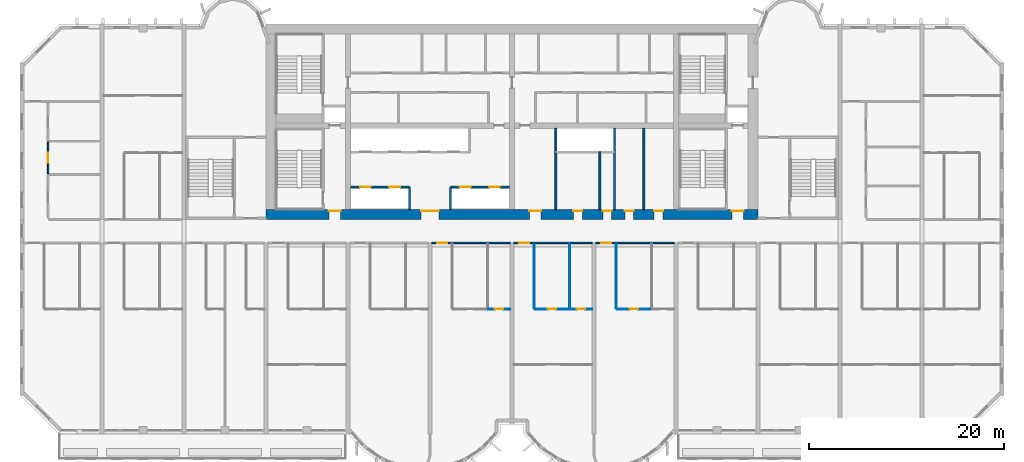
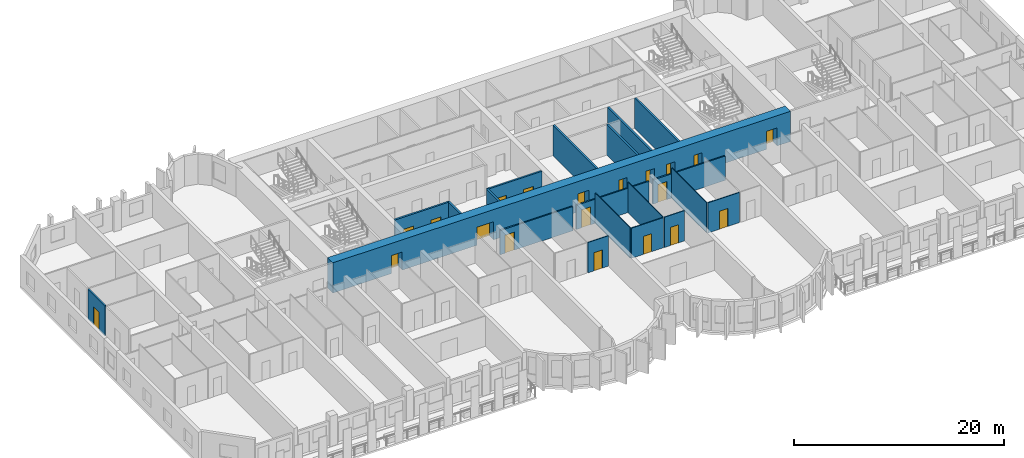
# One storey, part 5 of 15: 20 doors, 20 walls, 20 openings.
"""IFC4 building model written with IfcOpenShell, lengths in metres."""

from ifc_helpers import new_model, si_unit, direction, frame, frame_2d, origin, place, context, subcontext, project, spatial, rectangle, extrude, source, transform, mapped, material, layer, layer_set, type_object, element, fill, save


model = new_model("IFC4")

# Units and contexts
model_context = context("Model", 3, precision=1e-05, world=origin(), true_north=direction((0.0, 1.0)))
body_context = subcontext(model_context, "Body", "Model", "MODEL_VIEW")
ifc_project = project(units=[si_unit("LENGTHUNIT", "METRE"), si_unit("AREAUNIT", "SQUARE_METRE"), si_unit("VOLUMEUNIT", "CUBIC_METRE"), si_unit("PLANEANGLEUNIT", "RADIAN"), si_unit("MASSUNIT", "GRAM", prefix="KILO")], contexts=[model_context])

# Site, building, storey
site_placement = place(None, origin())
site = spatial("IfcSite", under=ifc_project, at=site_placement, CompositionType="ELEMENT")
building_placement = place(site_placement, origin())
building = spatial("IfcBuilding", under=site, at=building_placement, Name="Vanashikhar Sky Hotel", CompositionType="ELEMENT")
storey_placement = place(building_placement, frame((0.0, 0.0, 65.800048828125)))
storey = spatial("IfcBuildingStorey", under=building, at=storey_placement, Name="L15", CompositionType="ELEMENT", Elevation=65.800048828125)

# Wall, openings, doors
ifc_material_1 = material(Name="Concrete M80", Category="concrete")
ifc_layer_1 = layer(ifc_material_1, 1.0)
ifc_layer_set_1 = layer_set([ifc_layer_1], Name="RC core shell wall 1000 Concrete M80")
wall_type_1 = type_object("IfcWallType", Name="RC core shell wall 1000 Concrete M80", PredefinedType="SHEAR", material=ifc_layer_set_1)
shared_shape_1 = source(origin(), body_context, "Body", "SweptSolid", [
    extrude(rectangle(XDim=50.400146484375, YDim=1.0, at=frame_2d((25.2001953125, 0.0))), origin(), (0.0, 0.0, 1.0), 3.52001953125),
])
wall_1_placement = place(storey_placement, frame((25.199951171875, 22.5, 0.0), z_axis=(0.0, 0.0, 1.0), x_axis=(1.0, 0.0, 0.0)))
wall_1 = element("IfcWall", 1, at=wall_1_placement, inside=storey, type_object=wall_type_1, Name="KW-L15-KS", PredefinedType="SHEAR", context=body_context, shape_type="MappedRepresentation", body=[
    mapped(shared_shape_1, transform((0.0, 0.0, 0.0), scale=1.0)),
])
shared_shape_2 = source(origin(), body_context, "Body", "SweptSolid", [
    extrude(rectangle(XDim=1.800048828125, YDim=2.10009765625, at=frame_2d((0.89990234375, 1.050048828125))), frame((0.0, 0.510009765625, 0.0), z_axis=(0.0, -1.0, 0.0), x_axis=(1.0, 0.0, 0.0)), (0.0, 0.0, 1.0), 1.02001953125),
])
opening_1_placement = place(wall_1_placement, frame((15.89990234375, 0.0, 0.0)))
opening_1 = element("IfcOpeningElement", 2, at=opening_1_placement, cuts=wall_1, Name="Opening DC-3-A", PredefinedType="OPENING", context=body_context, shape_type="MappedRepresentation", body=[
    mapped(shared_shape_2, transform((0.0, 0.0, 0.0), scale=1.0)),
])
shared_shape_3 = source(origin(), body_context, "Body", "SweptSolid", [
    extrude(rectangle(XDim=1.199951171875, YDim=2.10009765625, at=frame_2d((0.60009765625, 1.050048828125))), frame((0.0, 0.510009765625, 0.0), z_axis=(0.0, -1.0, 0.0), x_axis=(1.0, 0.0, 0.0)), (0.0, 0.0, 1.0), 1.02001953125),
])
opening_2_placement = place(wall_1_placement, frame((26.987060546875, 0.0, 0.0)))
opening_2 = element("IfcOpeningElement", 3, at=opening_2_placement, cuts=wall_1, Name="Opening DC-4-B", PredefinedType="OPENING", context=body_context, shape_type="MappedRepresentation", body=[
    mapped(shared_shape_3, transform((0.0, 0.0, 0.0), scale=1.0)),
])
shared_shape_4 = source(origin(), body_context, "Body", "SweptSolid", [
    extrude(rectangle(XDim=0.89990234375, YDim=2.10009765625, at=frame_2d((0.449951171875, 1.050048828125))), frame((0.0, 0.510009765625, 0.0), z_axis=(0.0, -1.0, 0.0), x_axis=(1.0, 0.0, 0.0)), (0.0, 0.0, 1.0), 1.02001953125),
])
opening_3_placement = place(wall_1_placement, frame((34.5, 0.0, 0.0)))
opening_3 = element("IfcOpeningElement", 4, at=opening_3_placement, cuts=wall_1, Name="Opening DC-4-A", PredefinedType="OPENING", context=body_context, shape_type="MappedRepresentation", body=[
    mapped(shared_shape_4, transform((0.0, 0.0, 0.0), scale=1.0)),
])
opening_4_placement = place(wall_1_placement, frame((31.5, 0.0, 0.0)))
opening_4 = element("IfcOpeningElement", 5, at=opening_4_placement, cuts=wall_1, Name="Opening DC-4-A", PredefinedType="OPENING", context=body_context, shape_type="MappedRepresentation", body=[
    mapped(shared_shape_4, transform((0.0, 0.0, 0.0), scale=1.0)),
])
opening_5_placement = place(wall_1_placement, frame((39.76904296875, 0.0, 0.0)))
opening_5 = element("IfcOpeningElement", 6, at=opening_5_placement, cuts=wall_1, Name="Opening DC-4-A", PredefinedType="OPENING", context=body_context, shape_type="MappedRepresentation", body=[
    mapped(shared_shape_4, transform((0.0, 0.0, 0.0), scale=1.0)),
])
opening_6_placement = place(wall_1_placement, frame((36.756103515625, 0.0, 0.0)))
opening_6 = element("IfcOpeningElement", 7, at=opening_6_placement, cuts=wall_1, Name="Opening DC-4-A", PredefinedType="OPENING", context=body_context, shape_type="MappedRepresentation", body=[
    mapped(shared_shape_4, transform((0.0, 0.0, 0.0), scale=1.0)),
])
opening_7_placement = place(wall_1_placement, frame((6.43798828125, 0.0, 0.0)))
opening_7 = element("IfcOpeningElement", 8, at=opening_7_placement, cuts=wall_1, Name="Opening DC-2", PredefinedType="OPENING", context=body_context, shape_type="MappedRepresentation", body=[
    mapped(shared_shape_3, transform((0.0, 0.0, 0.0), scale=1.0)),
])
opening_8_placement = place(wall_1_placement, frame((47.72509765625, 0.0, 0.0)))
opening_8 = element("IfcOpeningElement", 9, at=opening_8_placement, cuts=wall_1, Name="Opening DC-2", PredefinedType="OPENING", context=body_context, shape_type="MappedRepresentation", body=[
    mapped(shared_shape_3, transform((0.0, 0.0, 0.0), scale=1.0)),
])
ifc_material_2 = material(Name="Glass", Category="glass")
door_type_1 = type_object("IfcDoorType", Name="Lift lobby entrance door 1800 FD30S", OperationType="NOTDEFINED", PredefinedType="DOOR", material=ifc_material_2)
shared_shape_5 = source(origin(), body_context, "Body", "SweptSolid", [
    extrude(rectangle(XDim=1.800048828125, YDim=2.10009765625, at=frame_2d((0.89990234375, 1.050048828125))), frame((0.0, 0.375, 0.0), z_axis=(0.0, -1.0, 0.0), x_axis=(1.0, 0.0, 0.0)), (0.0, 0.0, 1.0), 0.050048828125),
])
door_1_placement = place(opening_1_placement, origin())
door_1 = element("IfcDoor", 10, at=door_1_placement, inside=storey, type_object=door_type_1, Name="Lift lobby entrance door 1800 FD30S", OperationType="DOUBLE_DOOR_SINGLE_SWING", OverallHeight=2.10009765625, OverallWidth=1.800048828125, PredefinedType="DOOR", context=body_context, shape_type="MappedRepresentation", body=[
    mapped(shared_shape_5, transform((0.0, 0.0, 0.0), scale=1.0)),
])
fill(opening_1, door_1)
ifc_material_3 = material(Name="Steel", Category="steel")
door_type_2 = type_object("IfcDoorType", Name="Service door 1200 FD60", OperationType="NOTDEFINED", PredefinedType="DOOR", material=ifc_material_3)
shared_shape_6 = source(origin(), body_context, "Body", "SweptSolid", [
    extrude(rectangle(XDim=1.199951171875, YDim=2.10009765625, at=frame_2d((0.60009765625, 1.050048828125))), frame((0.0, 0.375, 0.0), z_axis=(0.0, -1.0, 0.0), x_axis=(1.0, 0.0, 0.0)), (0.0, 0.0, 1.0), 0.050048828125),
])
door_2_placement = place(opening_2_placement, origin())
door_2 = element("IfcDoor", 11, at=door_2_placement, inside=storey, type_object=door_type_2, Name="Service door 1200 FD60", OperationType="SINGLE_SWING_LEFT", OverallHeight=2.10009765625, OverallWidth=1.199951171875, PredefinedType="DOOR", context=body_context, shape_type="MappedRepresentation", body=[
    mapped(shared_shape_6, transform((0.0, 0.0, 0.0), scale=1.0)),
])
fill(opening_2, door_2)
door_type_3 = type_object("IfcDoorType", Name="Firefighting lobby door 1200 FD120", OperationType="NOTDEFINED", PredefinedType="DOOR", material=ifc_material_3)
door_3_placement = place(opening_7_placement, origin())
door_3 = element("IfcDoor", 12, at=door_3_placement, inside=storey, type_object=door_type_3, Name="Firefighting lobby door 1200 FD120", OperationType="SINGLE_SWING_LEFT", OverallHeight=2.10009765625, OverallWidth=1.199951171875, PredefinedType="DOOR", context=body_context, shape_type="MappedRepresentation", body=[
    mapped(shared_shape_6, transform((0.0, 0.0, 0.0), scale=1.0)),
])
fill(opening_7, door_3)
door_4_placement = place(opening_8_placement, origin())
door_4 = element("IfcDoor", 13, at=door_4_placement, inside=storey, type_object=door_type_3, Name="Firefighting lobby door 1200 FD120", OperationType="SINGLE_SWING_RIGHT", OverallHeight=2.10009765625, OverallWidth=1.199951171875, PredefinedType="DOOR", context=body_context, shape_type="MappedRepresentation", body=[
    mapped(shared_shape_6, transform((0.0, 0.0, 0.0), scale=1.0)),
])
fill(opening_8, door_4)
door_type_4 = type_object("IfcDoorType", Name="Service door 900 FD60", OperationType="NOTDEFINED", PredefinedType="DOOR", material=ifc_material_3)
shared_shape_7 = source(origin(), body_context, "Body", "SweptSolid", [
    extrude(rectangle(XDim=0.89990234375, YDim=2.10009765625, at=frame_2d((0.449951171875, 1.050048828125))), frame((0.0, 0.375, 0.0), z_axis=(0.0, -1.0, 0.0), x_axis=(1.0, 0.0, 0.0)), (0.0, 0.0, 1.0), 0.050048828125),
])
door_5_placement = place(opening_3_placement, origin())
door_5 = element("IfcDoor", 14, at=door_5_placement, inside=storey, type_object=door_type_4, Name="Service door 900 FD60", OperationType="SINGLE_SWING_LEFT", OverallHeight=2.10009765625, OverallWidth=0.89990234375, PredefinedType="DOOR", context=body_context, shape_type="MappedRepresentation", body=[
    mapped(shared_shape_7, transform((0.0, 0.0, 0.0), scale=1.0)),
])
fill(opening_3, door_5)
door_6_placement = place(opening_4_placement, origin())
door_6 = element("IfcDoor", 15, at=door_6_placement, inside=storey, type_object=door_type_4, Name="Service door 900 FD60", OperationType="SINGLE_SWING_RIGHT", OverallHeight=2.10009765625, OverallWidth=0.89990234375, PredefinedType="DOOR", context=body_context, shape_type="MappedRepresentation", body=[
    mapped(shared_shape_7, transform((0.0, 0.0, 0.0), scale=1.0)),
])
fill(opening_4, door_6)
door_7_placement = place(opening_5_placement, origin())
door_7 = element("IfcDoor", 16, at=door_7_placement, inside=storey, type_object=door_type_4, Name="Service door 900 FD60", OperationType="SINGLE_SWING_LEFT", OverallHeight=2.10009765625, OverallWidth=0.89990234375, PredefinedType="DOOR", context=body_context, shape_type="MappedRepresentation", body=[
    mapped(shared_shape_7, transform((0.0, 0.0, 0.0), scale=1.0)),
])
fill(opening_5, door_7)
door_8_placement = place(opening_6_placement, origin())
door_8 = element("IfcDoor", 17, at=door_8_placement, inside=storey, type_object=door_type_4, Name="Service door 900 FD60", OperationType="SINGLE_SWING_RIGHT", OverallHeight=2.10009765625, OverallWidth=0.89990234375, PredefinedType="DOOR", context=body_context, shape_type="MappedRepresentation", body=[
    mapped(shared_shape_7, transform((0.0, 0.0, 0.0), scale=1.0)),
])
fill(opening_6, door_8)

ifc_material_4 = material(Name="Concrete M40", Category="concrete")
ifc_layer_2 = layer(ifc_material_4, 0.199951171875)
ifc_layer_set_2 = layer_set([ifc_layer_2], Name="Shaft wall 200")
wall_type_2 = type_object("IfcWallType", Name="Shaft wall 200", PredefinedType="SOLIDWALL", material=ifc_layer_set_2)
shared_shape_8 = source(origin(), body_context, "Body", "SweptSolid", [
    extrude(rectangle(XDim=6.0, YDim=0.199951171875, at=frame_2d((3.0, 0.0))), origin(), (0.0, 0.0, 1.0), 3.52001953125),
])
wall_2_placement = place(storey_placement, frame((44.10009765625, 25.300048828125, 0.0), z_axis=(0.0, 0.0, 1.0), x_axis=(1.0, 0.0, 0.0)))
wall_2 = element("IfcWall", 18, at=wall_2_placement, inside=storey, type_object=wall_type_2, Name="Shaft wall 200", PredefinedType="SOLIDWALL", context=body_context, shape_type="MappedRepresentation", body=[
    mapped(shared_shape_8, transform((0.0, 0.0, 0.0), scale=1.0)),
])
shared_shape_9 = source(origin(), body_context, "Body", "SweptSolid", [
    extrude(rectangle(XDim=1.10009765625, YDim=2.10009765625, at=frame_2d((0.550048828125, 1.050048828125))), frame((0.0, 0.10986328125, 0.0), z_axis=(0.0, -1.0, 0.0), x_axis=(1.0, 0.0, 0.0)), (0.0, 0.0, 1.0), 0.219970703125),
])
opening_9_placement = place(wall_2_placement, frame((0.949951171875, 0.0, 0.0)))
opening_9 = element("IfcOpeningElement", 19, at=opening_9_placement, cuts=wall_2, Name="Opening LD", PredefinedType="OPENING", context=body_context, shape_type="MappedRepresentation", body=[
    mapped(shared_shape_9, transform((0.0, 0.0, 0.0), scale=1.0)),
])
opening_10_placement = place(wall_2_placement, frame((3.949951171875, 0.0, 0.0)))
opening_10 = element("IfcOpeningElement", 20, at=opening_10_placement, cuts=wall_2, Name="Opening LD", PredefinedType="OPENING", context=body_context, shape_type="MappedRepresentation", body=[
    mapped(shared_shape_9, transform((0.0, 0.0, 0.0), scale=1.0)),
])
ifc_material_5 = material(Name="Stainless steel", Category="steel")
door_type_5 = type_object("IfcDoorType", Name="Lift landing door 1100", OperationType="NOTDEFINED", PredefinedType="DOOR", material=ifc_material_5)
shared_shape_10 = source(origin(), body_context, "Body", "SweptSolid", [
    extrude(rectangle(XDim=1.10009765625, YDim=2.10009765625, at=frame_2d((0.550048828125, 1.050048828125))), frame((0.0, 0.02490234375, 0.0), z_axis=(0.0, -1.0, 0.0), x_axis=(1.0, 0.0, 0.0)), (0.0, 0.0, 1.0), 0.050048828125),
])
door_9_placement = place(opening_9_placement, origin())
door_9 = element("IfcDoor", 21, at=door_9_placement, inside=storey, type_object=door_type_5, Name="Lift landing door 1100", OperationType="SLIDING_TO_LEFT", OverallHeight=2.10009765625, OverallWidth=1.10009765625, PredefinedType="DOOR", context=body_context, shape_type="MappedRepresentation", body=[
    mapped(shared_shape_10, transform((0.0, 0.0, 0.0), scale=1.0)),
])
fill(opening_9, door_9)
door_10_placement = place(opening_10_placement, origin())
door_10 = element("IfcDoor", 22, at=door_10_placement, inside=storey, type_object=door_type_5, Name="Lift landing door 1100", OperationType="SLIDING_TO_RIGHT", OverallHeight=2.10009765625, OverallWidth=1.10009765625, PredefinedType="DOOR", context=body_context, shape_type="MappedRepresentation", body=[
    mapped(shared_shape_10, transform((0.0, 0.0, 0.0), scale=1.0)),
])
fill(opening_10, door_10)

shared_shape_11 = source(origin(), body_context, "Body", "SweptSolid", [
    extrude(rectangle(XDim=6.02490234375, YDim=0.199951171875, at=frame_2d((3.012451171875, 0.0))), origin(), (0.0, 0.0, 1.0), 3.52001953125),
])
wall_3_placement = place(storey_placement, frame((33.875, 25.300048828125, 0.0), z_axis=(0.0, 0.0, 1.0), x_axis=(1.0, 0.0, 0.0)))
wall_3 = element("IfcWall", 23, at=wall_3_placement, inside=storey, type_object=wall_type_2, Name="Shaft wall 200", PredefinedType="SOLIDWALL", context=body_context, shape_type="MappedRepresentation", body=[
    mapped(shared_shape_11, transform((0.0, 0.0, 0.0), scale=1.0)),
])
opening_11_placement = place(wall_3_placement, frame((0.97509765625, 0.0, 0.0)))
opening_11 = element("IfcOpeningElement", 24, at=opening_11_placement, cuts=wall_3, Name="Opening LD", PredefinedType="OPENING", context=body_context, shape_type="MappedRepresentation", body=[
    mapped(shared_shape_9, transform((0.0, 0.0, 0.0), scale=1.0)),
])
opening_12_placement = place(wall_3_placement, frame((3.97509765625, 0.0, 0.0)))
opening_12 = element("IfcOpeningElement", 25, at=opening_12_placement, cuts=wall_3, Name="Opening LD", PredefinedType="OPENING", context=body_context, shape_type="MappedRepresentation", body=[
    mapped(shared_shape_9, transform((0.0, 0.0, 0.0), scale=1.0)),
])
door_11_placement = place(opening_11_placement, origin())
door_11 = element("IfcDoor", 26, at=door_11_placement, inside=storey, type_object=door_type_5, Name="Lift landing door 1100", OperationType="SLIDING_TO_LEFT", OverallHeight=2.10009765625, OverallWidth=1.10009765625, PredefinedType="DOOR", context=body_context, shape_type="MappedRepresentation", body=[
    mapped(shared_shape_10, transform((0.0, 0.0, 0.0), scale=1.0)),
])
fill(opening_11, door_11)
door_12_placement = place(opening_12_placement, origin())
door_12 = element("IfcDoor", 27, at=door_12_placement, inside=storey, type_object=door_type_5, Name="Lift landing door 1100", OperationType="SLIDING_TO_RIGHT", OverallHeight=2.10009765625, OverallWidth=1.10009765625, PredefinedType="DOOR", context=body_context, shape_type="MappedRepresentation", body=[
    mapped(shared_shape_10, transform((0.0, 0.0, 0.0), scale=1.0)),
])
fill(opening_12, door_12)

# Walls
shared_shape_12 = source(origin(), body_context, "Body", "SweptSolid", [
    extrude(rectangle(XDim=2.300048828125, YDim=0.199951171875, at=frame_2d((1.14990234375, 0.0))), origin(), (0.0, 0.0, 1.0), 3.52001953125),
])
for number, where, z_axis, x_axis, name in (
    (28, (39.89990234375, 23.0, 0.0), (0.0, 0.0, 1.0), (0.0, 1.0, 0.0), "Shaft wall 200"),
    (29, (44.10009765625, 23.0, 0.0), (0.0, 0.0, 1.0), (0.0, 1.0, 0.0), "Shaft wall 200"),
):
    element("IfcWall", number, at=place(storey_placement, frame(where, z_axis=z_axis, x_axis=x_axis)), inside=storey, type_object=wall_type_2, Name=name, PredefinedType="SOLIDWALL", context=body_context, shape_type="MappedRepresentation", body=[
        mapped(shared_shape_12, transform((0.0, 0.0, 0.0), scale=1.0)),
    ])
ifc_material_6 = material(Name="Gypsum board partition")
ifc_layer_3 = layer(ifc_material_6, 0.14990234375)
ifc_layer_set_3 = layer_set([ifc_layer_3], Name="Service partition 150")
wall_type_3 = type_object("IfcWallType", Name="Service partition 150", PredefinedType="PARTITIONING", material=ifc_layer_set_3)
shared_shape_13 = source(origin(), body_context, "Body", "SweptSolid", [
    extrude(rectangle(XDim=8.324951171875, YDim=0.199951171875, at=frame_2d((4.16259765625, 0.0))), origin(), (0.0, 0.0, 1.0), 3.52001953125),
])
for number, where, z_axis, x_axis, name in (
    (30, (54.89990234375, 23.0, 0.0), (0.0, 0.0, 1.0), (0.0, 1.0, 0.0), "Service partition 150"),
    (31, (60.89990234375, 23.0, 0.0), (0.0, 0.0, 1.0), (0.0, 1.0, 0.0), "Service partition 150"),
    (32, (63.912109375, 23.0, 0.0), (0.0, 0.0, 1.0), (0.0, 1.0, 0.0), "Service partition 150"),
):
    element("IfcWall", number, at=place(storey_placement, frame(where, z_axis=z_axis, x_axis=x_axis)), inside=storey, type_object=wall_type_3, Name=name, PredefinedType="PARTITIONING", context=body_context, shape_type="MappedRepresentation", body=[
        mapped(shared_shape_13, transform((0.0, 0.0, 0.0), scale=1.0)),
    ])
shared_shape_14 = source(origin(), body_context, "Body", "SweptSolid", [
    extrude(rectangle(XDim=5.89990234375, YDim=0.199951171875, at=frame_2d((2.949951171875, 0.0))), origin(), (0.0, 0.0, 1.0), 3.52001953125),
])
wall_4_placement = place(storey_placement, frame((59.39990234375, 23.0, 0.0), z_axis=(0.0, 0.0, 1.0), x_axis=(0.0, 1.0, 0.0)))
element("IfcWall", 33, at=wall_4_placement, inside=storey, type_object=wall_type_3, Name="Service partition 150", PredefinedType="PARTITIONING", context=body_context, shape_type="MappedRepresentation", body=[
    mapped(shared_shape_14, transform((0.0, 0.0, 0.0), scale=1.0)),
])

# Wall, opening, door
ifc_material_7 = material(Name="Gypsum plasterboard partition")
ifc_layer_4 = layer(ifc_material_7, 0.14990234375)
ifc_layer_set_4 = layer_set([ifc_layer_4], Name="Corridor and demising partition 150")
wall_type_4 = type_object("IfcWallType", Name="Corridor and demising partition 150", PredefinedType="PARTITIONING", material=ifc_layer_set_4)
shared_shape_15 = source(origin(), body_context, "Body", "SweptSolid", [
    extrude(rectangle(XDim=3.25, YDim=0.14990234375, at=frame_2d((1.625, 0.0))), origin(), (0.0, 0.0, 1.0), 3.52001953125),
])
wall_5_placement = place(storey_placement, frame((2.875, 26.675048828125, 0.0), z_axis=(0.0, 0.0, 1.0), x_axis=(0.0, 1.0, 0.0)))
wall_5 = element("IfcWall", 34, at=wall_5_placement, inside=storey, type_object=wall_type_4, Name="W-L15-PW073", PredefinedType="PARTITIONING", context=body_context, shape_type="MappedRepresentation", body=[
    mapped(shared_shape_15, transform((0.0, 0.0, 0.0), scale=1.0)),
])
shared_shape_16 = source(origin(), body_context, "Body", "SweptSolid", [
    extrude(rectangle(XDim=1.0, YDim=2.10009765625, at=frame_2d((0.5, 1.050048828125))), frame((0.0, 0.0849609375, 0.0), z_axis=(0.0, -1.0, 0.0), x_axis=(1.0, 0.0, 0.0)), (0.0, 0.0, 1.0), 0.169921875),
])
opening_13_placement = place(wall_5_placement, frame((1.125, 0.0, 0.0)))
opening_13 = element("IfcOpeningElement", 35, at=opening_13_placement, cuts=wall_5, Name="Opening D-01", PredefinedType="OPENING", context=body_context, shape_type="MappedRepresentation", body=[
    mapped(shared_shape_16, transform((0.0, 0.0, 0.0), scale=1.0)),
])
ifc_material_8 = material(Name="Timber fire door", Category="wood")
door_type_6 = type_object("IfcDoorType", Name="Guest entry door 1000 FD30S", OperationType="NOTDEFINED", PredefinedType="DOOR", material=ifc_material_8)
shared_shape_17 = source(origin(), body_context, "Body", "SweptSolid", [
    extrude(rectangle(XDim=1.0, YDim=2.10009765625, at=frame_2d((0.5, 1.050048828125))), frame((0.0, 0.02490234375, 0.0), z_axis=(0.0, -1.0, 0.0), x_axis=(1.0, 0.0, 0.0)), (0.0, 0.0, 1.0), 0.050048828125),
])
door_13_placement = place(opening_13_placement, origin())
door_13 = element("IfcDoor", 36, at=door_13_placement, inside=storey, type_object=door_type_6, Name="D-L15-044", OperationType="SINGLE_SWING_LEFT", OverallHeight=2.10009765625, OverallWidth=1.0, PredefinedType="DOOR", context=body_context, shape_type="MappedRepresentation", body=[
    mapped(shared_shape_17, transform((0.0, 0.0, 0.0), scale=1.0)),
])
fill(opening_13, door_13)

ifc_layer_5 = layer(ifc_material_7, 0.10009765625)
ifc_layer_set_5 = layer_set([ifc_layer_5], Name="Wet room partition 100")
wall_type_5 = type_object("IfcWallType", Name="Wet room partition 100", PredefinedType="PARTITIONING", material=ifc_layer_set_5)
shared_shape_18 = source(origin(), body_context, "Body", "SweptSolid", [
    extrude(rectangle(XDim=3.5, YDim=0.10009765625, at=frame_2d((1.75, 0.0))), origin(), (0.0, 0.0, 1.0), 3.52001953125),
])
wall_6_placement = place(storey_placement, frame((52.75, 12.800048828125, 0.0), z_axis=(0.0, 0.0, 1.0), x_axis=(1.0, 0.0, 0.0)))
wall_6 = element("IfcWall", 37, at=wall_6_placement, inside=storey, type_object=wall_type_5, Name="W-L15-PW036", PredefinedType="PARTITIONING", context=body_context, shape_type="MappedRepresentation", body=[
    mapped(shared_shape_18, transform((0.0, 0.0, 0.0), scale=1.0)),
])
shared_shape_19 = source(origin(), body_context, "Body", "SweptSolid", [
    extrude(rectangle(XDim=0.89990234375, YDim=2.10009765625, at=frame_2d((0.449951171875, 1.050048828125))), frame((0.0, 0.06005859375, 0.0), z_axis=(0.0, -1.0, 0.0), x_axis=(1.0, 0.0, 0.0)), (0.0, 0.0, 1.0), 0.1201171875),
])
opening_14_placement = place(wall_6_placement, frame((1.300048828125, 0.0, 0.0)))
opening_14 = element("IfcOpeningElement", 38, at=opening_14_placement, cuts=wall_6, Name="Opening D-02", PredefinedType="OPENING", context=body_context, shape_type="MappedRepresentation", body=[
    mapped(shared_shape_19, transform((0.0, 0.0, 0.0), scale=1.0)),
])
ifc_material_9 = material(Name="Timber door", Category="wood")
door_type_7 = type_object("IfcDoorType", Name="Internal door 900", OperationType="NOTDEFINED", PredefinedType="DOOR", material=ifc_material_9)
shared_shape_20 = source(origin(), body_context, "Body", "SweptSolid", [
    extrude(rectangle(XDim=0.89990234375, YDim=2.10009765625, at=frame_2d((0.449951171875, 1.050048828125))), frame((0.0, 0.02490234375, 0.0), z_axis=(0.0, -1.0, 0.0), x_axis=(1.0, 0.0, 0.0)), (0.0, 0.0, 1.0), 0.050048828125),
])
door_14_placement = place(opening_14_placement, origin())
door_14 = element("IfcDoor", 39, at=door_14_placement, inside=storey, type_object=door_type_7, Name="D-L15-021", OperationType="SINGLE_SWING_LEFT", OverallHeight=2.10009765625, OverallWidth=0.89990234375, PredefinedType="DOOR", context=body_context, shape_type="MappedRepresentation", body=[
    mapped(shared_shape_20, transform((0.0, 0.0, 0.0), scale=1.0)),
])
fill(opening_14, door_14)

wall_7_placement = place(storey_placement, frame((61.14990234375, 12.800048828125, 0.0), z_axis=(0.0, 0.0, 1.0), x_axis=(1.0, 0.0, 0.0)))
wall_7 = element("IfcWall", 40, at=wall_7_placement, inside=storey, type_object=wall_type_5, Name="W-L15-PW042", PredefinedType="PARTITIONING", context=body_context, shape_type="MappedRepresentation", body=[
    mapped(shared_shape_18, transform((0.0, 0.0, 0.0), scale=1.0)),
])
opening_15_placement = place(wall_7_placement, frame((1.300048828125, 0.0, 0.0)))
opening_15 = element("IfcOpeningElement", 41, at=opening_15_placement, cuts=wall_7, Name="Opening D-02", PredefinedType="OPENING", context=body_context, shape_type="MappedRepresentation", body=[
    mapped(shared_shape_19, transform((0.0, 0.0, 0.0), scale=1.0)),
])
door_15_placement = place(opening_15_placement, origin())
door_15 = element("IfcDoor", 42, at=door_15_placement, inside=storey, type_object=door_type_7, Name="D-L15-025", OperationType="SINGLE_SWING_LEFT", OverallHeight=2.10009765625, OverallWidth=0.89990234375, PredefinedType="DOOR", context=body_context, shape_type="MappedRepresentation", body=[
    mapped(shared_shape_20, transform((0.0, 0.0, 0.0), scale=1.0)),
])
fill(opening_15, door_15)

shared_shape_21 = source(origin(), body_context, "Body", "SweptSolid", [
    extrude(rectangle(XDim=8.0, YDim=0.14990234375, at=frame_2d((4.0, 0.0))), origin(), (0.0, 0.0, 1.0), 2.820068359375),
])
wall_8_placement = place(storey_placement, frame((42.199951171875, 19.60009765625, 0.0), z_axis=(0.0, 0.0, 1.0), x_axis=(1.0, 0.0, 0.0)))
wall_8 = element("IfcWall", 43, at=wall_8_placement, inside=storey, type_object=wall_type_4, Name="W-L15-PW033", PredefinedType="PARTITIONING", context=body_context, shape_type="MappedRepresentation", body=[
    mapped(shared_shape_21, transform((0.0, 0.0, 0.0), scale=1.0)),
])
opening_16_placement = place(wall_8_placement, frame((0.550048828125, 0.0, 0.0)))
opening_16 = element("IfcOpeningElement", 44, at=opening_16_placement, cuts=wall_8, Name="Opening D-01", PredefinedType="OPENING", context=body_context, shape_type="MappedRepresentation", body=[
    mapped(shared_shape_16, transform((0.0, 0.0, 0.0), scale=1.0)),
])
door_16_placement = place(opening_16_placement, origin())
door_16 = element("IfcDoor", 45, at=door_16_placement, inside=storey, type_object=door_type_6, Name="D-L15-020", OperationType="SINGLE_SWING_LEFT", OverallHeight=2.10009765625, OverallWidth=1.0, PredefinedType="DOOR", context=body_context, shape_type="MappedRepresentation", body=[
    mapped(shared_shape_17, transform((0.0, 0.0, 0.0), scale=1.0)),
])
fill(opening_16, door_16)

wall_9_placement = place(storey_placement, frame((50.60009765625, 19.60009765625, 0.0), z_axis=(0.0, 0.0, 1.0), x_axis=(1.0, 0.0, 0.0)))
wall_9 = element("IfcWall", 46, at=wall_9_placement, inside=storey, type_object=wall_type_4, Name="W-L15-PW039", PredefinedType="PARTITIONING", context=body_context, shape_type="MappedRepresentation", body=[
    mapped(shared_shape_21, transform((0.0, 0.0, 0.0), scale=1.0)),
])
opening_17_placement = place(wall_9_placement, frame((0.550048828125, 0.0, 0.0)))
opening_17 = element("IfcOpeningElement", 47, at=opening_17_placement, cuts=wall_9, Name="Opening D-01", PredefinedType="OPENING", context=body_context, shape_type="MappedRepresentation", body=[
    mapped(shared_shape_16, transform((0.0, 0.0, 0.0), scale=1.0)),
])
door_17_placement = place(opening_17_placement, origin())
door_17 = element("IfcDoor", 48, at=door_17_placement, inside=storey, type_object=door_type_6, Name="D-L15-024", OperationType="SINGLE_SWING_LEFT", OverallHeight=2.10009765625, OverallWidth=1.0, PredefinedType="DOOR", context=body_context, shape_type="MappedRepresentation", body=[
    mapped(shared_shape_17, transform((0.0, 0.0, 0.0), scale=1.0)),
])
fill(opening_17, door_17)

wall_10_placement = place(storey_placement, frame((59.0, 19.60009765625, 0.0), z_axis=(0.0, 0.0, 1.0), x_axis=(1.0, 0.0, 0.0)))
wall_10 = element("IfcWall", 49, at=wall_10_placement, inside=storey, type_object=wall_type_4, Name="W-L15-PW044", PredefinedType="PARTITIONING", context=body_context, shape_type="MappedRepresentation", body=[
    mapped(shared_shape_21, transform((0.0, 0.0, 0.0), scale=1.0)),
])
opening_18_placement = place(wall_10_placement, frame((0.550048828125, 0.0, 0.0)))
opening_18 = element("IfcOpeningElement", 50, at=opening_18_placement, cuts=wall_10, Name="Opening D-01", PredefinedType="OPENING", context=body_context, shape_type="MappedRepresentation", body=[
    mapped(shared_shape_16, transform((0.0, 0.0, 0.0), scale=1.0)),
])
door_18_placement = place(opening_18_placement, origin())
door_18 = element("IfcDoor", 51, at=door_18_placement, inside=storey, type_object=door_type_6, Name="D-L15-027", OperationType="SINGLE_SWING_LEFT", OverallHeight=2.10009765625, OverallWidth=1.0, PredefinedType="DOOR", context=body_context, shape_type="MappedRepresentation", body=[
    mapped(shared_shape_17, transform((0.0, 0.0, 0.0), scale=1.0)),
])
fill(opening_18, door_18)

# Walls
shared_shape_22 = source(origin(), body_context, "Body", "SweptSolid", [
    extrude(rectangle(XDim=6.64990234375, YDim=0.10009765625, at=frame_2d((3.324951171875, 0.0))), origin(), (0.0, 0.0, 1.0), 3.52001953125),
])
for number, where, z_axis, x_axis, name in (
    (52, (52.699951171875, 12.875, 0.0), (0.0, 0.0, 1.0), (0.0, 1.0, 0.0), "W-L15-PW034"),
    (53, (56.300048828125, 12.875, 0.0), (0.0, 0.0, 1.0), (0.0, 1.0, 0.0), "W-L15-PW035"),
    (54, (61.10009765625, 12.875, 0.0), (0.0, 0.0, 1.0), (0.0, 1.0, 0.0), "W-L15-PW040"),
):
    element("IfcWall", number, at=place(storey_placement, frame(where, z_axis=z_axis, x_axis=x_axis)), inside=storey, type_object=wall_type_5, Name=name, PredefinedType="PARTITIONING", context=body_context, shape_type="MappedRepresentation", body=[
        mapped(shared_shape_22, transform((0.0, 0.0, 0.0), scale=1.0)),
    ])

# Wall, opening, door
shared_shape_23 = source(origin(), body_context, "Body", "SweptSolid", [
    extrude(rectangle(XDim=2.25, YDim=0.10009765625, at=frame_2d((1.125, 0.0))), origin(), (0.0, 0.0, 1.0), 3.52001953125),
])
wall_11_placement = place(storey_placement, frame((47.949951171875, 12.800048828125, 0.0), z_axis=(0.0, 0.0, 1.0), x_axis=(1.0, 0.0, 0.0)))
wall_11 = element("IfcWall", 55, at=wall_11_placement, inside=storey, type_object=wall_type_5, Name="W-L15-PW032", PredefinedType="PARTITIONING", context=body_context, shape_type="MappedRepresentation", body=[
    mapped(shared_shape_23, transform((0.0, 0.0, 0.0), scale=1.0)),
])
opening_19_placement = place(wall_11_placement, frame((0.675048828125, 0.0, 0.0)))
opening_19 = element("IfcOpeningElement", 56, at=opening_19_placement, cuts=wall_11, Name="Opening D-02", PredefinedType="OPENING", context=body_context, shape_type="MappedRepresentation", body=[
    mapped(shared_shape_19, transform((0.0, 0.0, 0.0), scale=1.0)),
])
door_19_placement = place(opening_19_placement, origin())
door_19 = element("IfcDoor", 57, at=door_19_placement, inside=storey, type_object=door_type_7, Name="D-L15-019", OperationType="SINGLE_SWING_LEFT", OverallHeight=2.10009765625, OverallWidth=0.89990234375, PredefinedType="DOOR", context=body_context, shape_type="MappedRepresentation", body=[
    mapped(shared_shape_20, transform((0.0, 0.0, 0.0), scale=1.0)),
])
fill(opening_19, door_19)

wall_12_placement = place(storey_placement, frame((56.35009765625, 12.800048828125, 0.0), z_axis=(0.0, 0.0, 1.0), x_axis=(1.0, 0.0, 0.0)))
wall_12 = element("IfcWall", 58, at=wall_12_placement, inside=storey, type_object=wall_type_5, Name="W-L15-PW037", PredefinedType="PARTITIONING", context=body_context, shape_type="MappedRepresentation", body=[
    mapped(shared_shape_23, transform((0.0, 0.0, 0.0), scale=1.0)),
])
opening_20_placement = place(wall_12_placement, frame((0.675048828125, 0.0, 0.0)))
opening_20 = element("IfcOpeningElement", 59, at=opening_20_placement, cuts=wall_12, Name="Opening D-02", PredefinedType="OPENING", context=body_context, shape_type="MappedRepresentation", body=[
    mapped(shared_shape_19, transform((0.0, 0.0, 0.0), scale=1.0)),
])
door_20_placement = place(opening_20_placement, origin())
door_20 = element("IfcDoor", 60, at=door_20_placement, inside=storey, type_object=door_type_7, Name="D-L15-022", OperationType="SINGLE_SWING_LEFT", OverallHeight=2.10009765625, OverallWidth=0.89990234375, PredefinedType="DOOR", context=body_context, shape_type="MappedRepresentation", body=[
    mapped(shared_shape_20, transform((0.0, 0.0, 0.0), scale=1.0)),
])
fill(opening_20, door_20)

save(model, "model.ifc")
